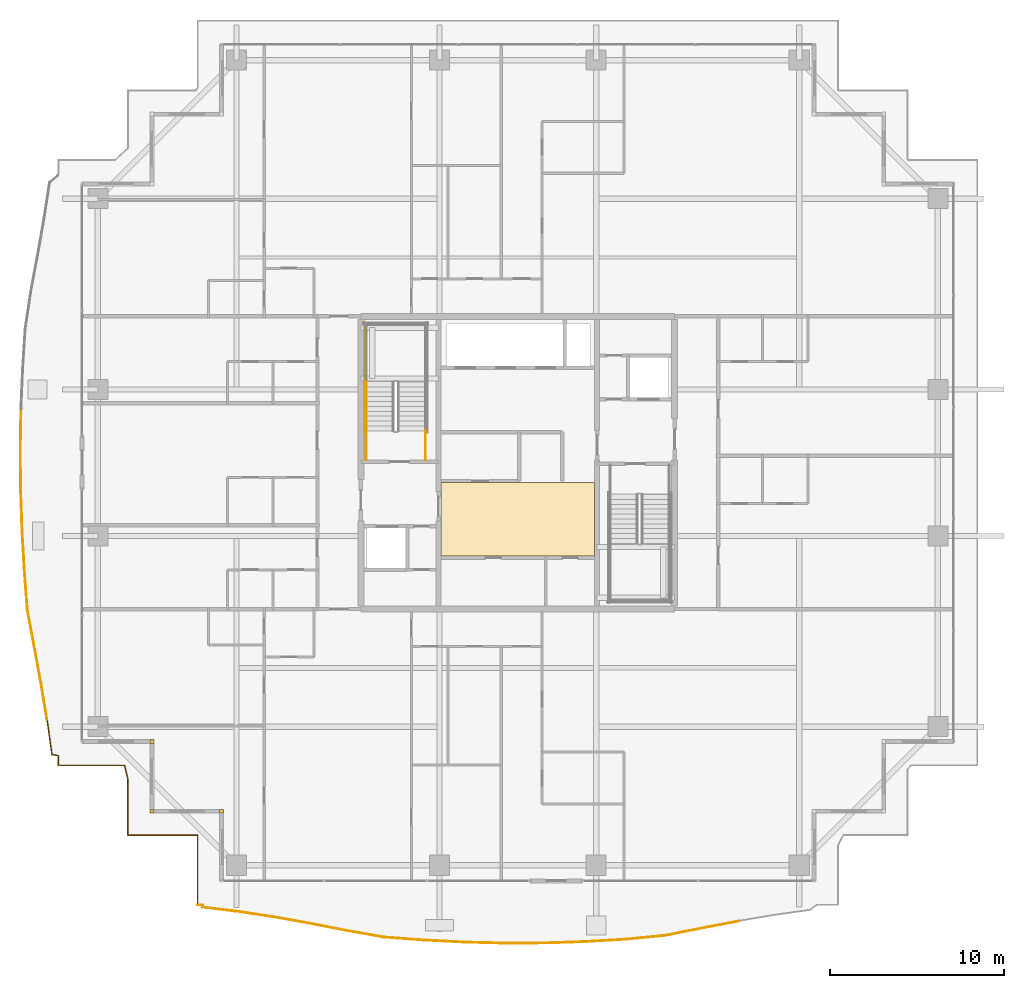
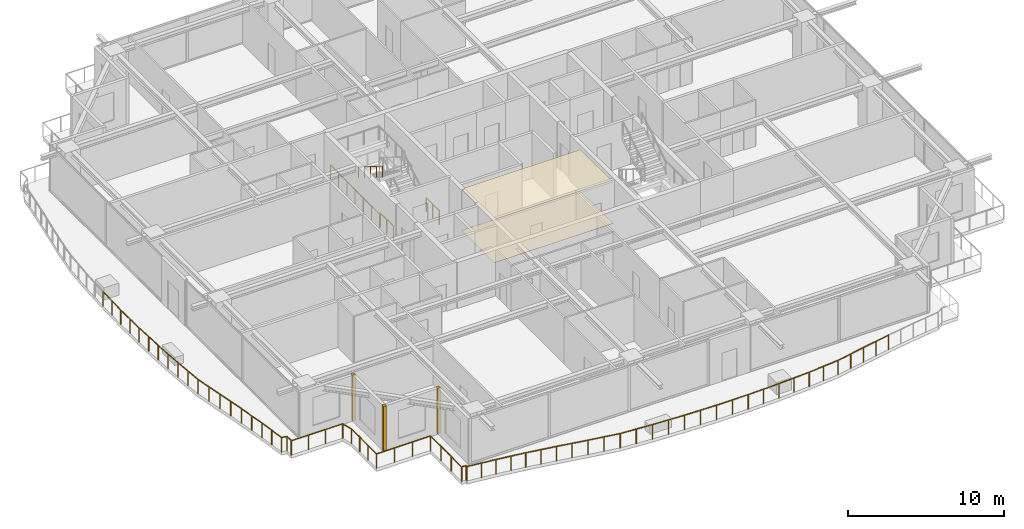
# One storey, part 32 of 36: 8 railings, 5 coverings.
"""IFC4 building model written with IfcOpenShell, lengths in metres."""

from ifc_helpers import new_model, si_unit, direction, frame, origin, origin_2d, place, context, subcontext, project, spatial, polyline, rectangle, circle, outline, extrude, source, transform, mapped, material, layer, layer_set, type_object, element, save


model = new_model("IFC4")

# Units and contexts
model_context = context("Model", 3, precision=1e-05, world=origin(), true_north=direction((0.0, 1.0)))
body_context = subcontext(model_context, "Body", "Model", "MODEL_VIEW")
ifc_project = project(units=[si_unit("LENGTHUNIT", "METRE"), si_unit("AREAUNIT", "SQUARE_METRE"), si_unit("VOLUMEUNIT", "CUBIC_METRE"), si_unit("PLANEANGLEUNIT", "RADIAN"), si_unit("MASSUNIT", "GRAM", prefix="KILO")], contexts=[model_context])

# Site, building, storey
site_placement = place(None, origin())
site = spatial("IfcSite", under=ifc_project, at=site_placement, CompositionType="ELEMENT")
building_placement = place(site_placement, origin())
building = spatial("IfcBuilding", under=site, at=building_placement, Name="Serunith Strait Residences", CompositionType="ELEMENT")
storey_placement = place(building_placement, frame((0.0, 0.0, 272.050048828125)))
storey = spatial("IfcBuildingStorey", under=building, at=storey_placement, Name="L68", CompositionType="ELEMENT", Elevation=272.050048828125)

# Coverings
ifc_material_1 = material(Name="Perforated acoustic gypsum ceiling tile")
ifc_layer_1 = layer(ifc_material_1, 0.02490234375, Name="Perforated acoustic gypsum ceiling tile")
ifc_layer_set_1 = layer_set([ifc_layer_1], Name="Perforated acoustic gypsum ceiling tile")
covering_type_1 = type_object("IfcCoveringType", Name="COV-CEIL-AC60", PredefinedType="CEILING", material=ifc_layer_set_1)
covering_1_placement = place(storey_placement, frame((0.0, 0.0, 3.239990234375)))
element("IfcCovering", 1, at=covering_1_placement, inside=storey, type_object=covering_type_1, Name="L68 Lift Lobby Acoustic Ceiling", PredefinedType="CEILING", context=body_context, shape_type="SweptSolid", body=[
    extrude(outline(polyline([(28.0, 19.85009765625), (36.800048828125, 19.85009765625), (36.800048828125, 24.050048828125), (28.0, 24.050048828125), (28.0, 19.85009765625)])), origin(), (0.0, 0.0, 1.0), 0.02490234375),
])
ifc_material_2 = material(Name="Honed limestone terrazzo flooring", Category="masonry")
ifc_layer_2 = layer(ifc_material_2, 0.02001953125, Name="Honed limestone terrazzo flooring")
ifc_layer_set_2 = layer_set([ifc_layer_2], Name="Honed limestone terrazzo flooring")
covering_type_2 = type_object("IfcCoveringType", Name="COV-FLOOR-TER40", PredefinedType="FLOORING", material=ifc_layer_set_2)
covering_2_placement = place(storey_placement, origin())
element("IfcCovering", 2, at=covering_2_placement, inside=storey, type_object=covering_type_2, Name="L68 Lift Lobby Terrazzo Flooring", PredefinedType="FLOORING", context=body_context, shape_type="SweptSolid", body=[
    extrude(outline(polyline([(28.0, 19.85009765625), (36.800048828125, 19.85009765625), (36.800048828125, 24.050048828125), (28.0, 24.050048828125), (28.0, 19.85009765625)])), origin(), (0.0, 0.0, 1.0), 0.02001953125),
])

# Railings
ifc_material_3 = material(Name="Stainless Steel & Laminated Glass Balustrade", Category="steel")
railing_type_1 = type_object("IfcRailingType", Name="RLG-BALC-1150", PredefinedType="BALUSTRADE", material=ifc_material_3)
railing_1_placement = place(storey_placement, frame((14.02001953125, -0.179931640625, -0.050048828125)))
element("IfcRailing", 3, at=railing_1_placement, inside=storey, type_object=railing_type_1, Name="L68 Swirling Balcony Perimeter Balustrade 1", PredefinedType="BALUSTRADE", context=body_context, shape_type="SweptSolid", body=[
    extrude(circle(Radius=0.02392578125, at=origin_2d()), frame((0.0, 0.001953125, 1.1259765625), z_axis=(0.0, 1.0, 0.0), x_axis=(-1.0, 0.0, 0.0)), (0.0, 0.0, 1.0), 3.99609375),
    extrude(circle(Radius=0.02392578125, at=origin_2d()), frame((-0.001953125, 4.0, 1.1259765625), z_axis=(-1.0, 0.0, 0.0), x_axis=(0.0, -1.0, 0.0)), (0.0, 0.0, 1.0), 3.99609375),
    extrude(circle(Radius=0.02392578125, at=origin_2d()), frame((-4.0, 4.001953125, 1.1259765625), z_axis=(0.0, 1.0, 0.0), x_axis=(-1.0, 0.0, 0.0)), (0.0, 0.0, 1.0), 3.210693359375),
    extrude(circle(Radius=0.02392578125, at=origin_2d()), frame((-4.00048828125, 7.216552734375, 1.1259765625), z_axis=(-0.235919902298, 0.971772504087, 0.0), x_axis=(-0.971772504087, -0.235919902298, 0.0)), (0.0, 0.0, 1.0), 0.80419921875),
    extrude(circle(Radius=0.02392578125, at=origin_2d()), frame((-4.192626953125, 8.0, 1.1259765625), z_axis=(-1.0, 0.0, 0.0), x_axis=(0.0, -1.0, 0.0)), (0.0, 0.0, 1.0), 3.805419921875),
    extrude(circle(Radius=0.02392578125, at=origin_2d()), frame((-8.0, 8.001953125, 1.1259765625), z_axis=(0.0, 1.0, 0.0), x_axis=(-1.0, 0.0, 0.0)), (0.0, 0.0, 1.0), 0.56298828125),
    extrude(circle(Radius=0.02392578125, at=origin_2d()), frame((-8.001953125, 8.567138671875, 1.1259765625), z_axis=(-0.986023881788, 0.166604035199, 0.0), x_axis=(-0.166604035199, -0.986023881788, 0.0)), (0.0, 0.0, 1.0), 0.35498046875),
    extrude(circle(Radius=0.02392578125, at=origin_2d()), frame((-8.354248046875, 8.628662109375, 1.1259765625), z_axis=(-0.138367306794, 0.990380981446, 0.0), x_axis=(-0.990380981446, -0.138367306794, 0.0)), (0.0, 0.0, 1.0), 2.04443359375),
    extrude(circle(Radius=0.02099609375, at=origin_2d()), origin(), (0.0, 0.0, 1.0), 1.099853515625),
    extrude(circle(Radius=0.02099609375, at=origin_2d()), frame((0.0, 1.333251953125, 0.0)), (0.0, 0.0, 1.0), 1.099853515625),
    extrude(circle(Radius=0.02099609375, at=origin_2d()), frame((0.0, 2.666748046875, 0.0)), (0.0, 0.0, 1.0), 1.099853515625),
    extrude(circle(Radius=0.02099609375, at=origin_2d()), frame((0.0, 4.0, 0.0)), (0.0, 0.0, 1.0), 1.099853515625),
    extrude(circle(Radius=0.02099609375, at=origin_2d()), frame((-1.333251953125, 4.0, 0.0)), (0.0, 0.0, 1.0), 1.099853515625),
    extrude(circle(Radius=0.02099609375, at=origin_2d()), frame((-2.666748046875, 4.0, 0.0)), (0.0, 0.0, 1.0), 1.099853515625),
    extrude(circle(Radius=0.02099609375, at=origin_2d()), frame((-4.0, 4.0, 0.0)), (0.0, 0.0, 1.0), 1.099853515625),
    extrude(circle(Radius=0.02099609375, at=origin_2d()), frame((-4.0, 5.071533203125, 0.0)), (0.0, 0.0, 1.0), 1.099853515625),
    extrude(circle(Radius=0.02099609375, at=origin_2d()), frame((-4.0, 6.14306640625, 0.0)), (0.0, 0.0, 1.0), 1.099853515625),
    extrude(circle(Radius=0.02099609375, at=origin_2d()), frame((-4.0, 7.214599609375, 0.0)), (0.0, 0.0, 1.0), 1.099853515625),
    extrude(circle(Radius=0.02099609375, at=origin_2d()), frame((-4.190673828125, 8.0, 0.0)), (0.0, 0.0, 1.0), 1.099853515625),
    extrude(circle(Radius=0.02099609375, at=origin_2d()), frame((-5.46044921875, 8.0, 0.0)), (0.0, 0.0, 1.0), 1.099853515625),
    extrude(circle(Radius=0.02099609375, at=origin_2d()), frame((-6.730224609375, 8.0, 0.0)), (0.0, 0.0, 1.0), 1.099853515625),
    extrude(circle(Radius=0.02099609375, at=origin_2d()), frame((-8.0, 8.0, 0.0)), (0.0, 0.0, 1.0), 1.099853515625),
    extrude(circle(Radius=0.02099609375, at=origin_2d()), frame((-8.0, 8.56689453125, 0.0)), (0.0, 0.0, 1.0), 1.099853515625),
    extrude(circle(Radius=0.02099609375, at=origin_2d()), frame((-8.35400390625, 8.626708984375, 0.0)), (0.0, 0.0, 1.0), 1.099853515625),
    extrude(circle(Radius=0.02099609375, at=origin_2d()), frame((-8.49560546875, 9.64111328125, 0.0)), (0.0, 0.0, 1.0), 1.099853515625),
    extrude(circle(Radius=0.02099609375, at=origin_2d()), frame((-8.637451171875, 10.655517578125, 0.0)), (0.0, 0.0, 1.0), 1.099853515625),
])
railing_2_placement = place(storey_placement, frame((5.382568359375, 10.4755859375, -0.050048828125)))
element("IfcRailing", 4, at=railing_2_placement, inside=storey, type_object=railing_type_1, Name="L68 Swirling Balcony Perimeter Balustrade 2", PredefinedType="BALUSTRADE", context=body_context, shape_type="SweptSolid", body=[
    extrude(circle(Radius=0.02392578125, at=origin_2d()), frame((-0.000244140625, 0.001953125, 1.1259765625), z_axis=(-0.162531067069, 0.986703426688, 0.0), x_axis=(-0.986703426688, -0.162531067069, 0.0)), (0.0, 0.0, 1.0), 2.073486328125),
    extrude(circle(Radius=0.02392578125, at=origin_2d()), frame((-0.337890625, 2.0517578125, 1.1259765625), z_axis=(-0.179856853998, 0.983692793544, 0.0), x_axis=(-0.983692793544, -0.179856853998, 0.0)), (0.0, 0.0, 1.0), 2.118896484375),
    extrude(circle(Radius=0.02392578125, at=origin_2d()), frame((-0.719970703125, 4.14013671875, 1.1259765625), z_axis=(-0.184072335064, 0.982912699818, 0.0), x_axis=(-0.982912699818, -0.184072335064, 0.0)), (0.0, 0.0, 1.0), 2.177734375),
    extrude(circle(Radius=0.02392578125, at=origin_2d()), frame((-1.121337890625, 6.28466796875, 1.1259765625), z_axis=(-0.076465895459, 0.997072197402, 0.0), x_axis=(-0.997072197402, -0.076465895459, 0.0)), (0.0, 0.0, 1.0), 2.262939453125),
    extrude(circle(Radius=0.02392578125, at=origin_2d()), frame((-1.29443359375, 8.544921875, 1.1259765625), z_axis=(-0.056517308107, 0.998401619532, 0.0), x_axis=(-0.998401619532, -0.056517308107, 0.0)), (0.0, 0.0, 1.0), 2.294189453125),
    extrude(circle(Radius=0.02392578125, at=origin_2d()), frame((-1.42431640625, 10.83935546875, 1.1259765625), z_axis=(-0.034310031954, 0.999411237533, 0.0), x_axis=(-0.999411237533, -0.034310031954, 0.0)), (0.0, 0.0, 1.0), 2.315673828125),
    extrude(circle(Radius=0.02392578125, at=origin_2d()), frame((-1.50390625, 13.15771484375, 1.1259765625), z_axis=(-0.009011475222, 0.999959395833, 0.0), x_axis=(-0.999959395833, -0.009011475222, 0.0)), (0.0, 0.0, 1.0), 2.325927734375),
    extrude(circle(Radius=0.02392578125, at=origin_2d()), frame((-1.52490234375, 15.487548828125, 1.1259765625), z_axis=(0.016996495169, 0.999855549143, 0.0), x_axis=(-0.999855549143, 0.016996495169, 0.0)), (0.0, 0.0, 1.0), 2.322998046875),
    extrude(circle(Radius=0.02099609375, at=origin_2d()), origin(), (0.0, 0.0, 1.0), 1.099853515625),
    extrude(circle(Radius=0.02099609375, at=origin_2d()), frame((-0.1689453125, 1.02490234375, 0.0)), (0.0, 0.0, 1.0), 1.099853515625),
    extrude(circle(Radius=0.02099609375, at=origin_2d()), frame((-0.337646484375, 2.0498046875, 0.0)), (0.0, 0.0, 1.0), 1.099853515625),
    extrude(circle(Radius=0.02099609375, at=origin_2d()), frame((-0.528564453125, 3.093994140625, 0.0)), (0.0, 0.0, 1.0), 1.099853515625),
    extrude(circle(Radius=0.02099609375, at=origin_2d()), frame((-0.719482421875, 4.13818359375, 0.0)), (0.0, 0.0, 1.0), 1.099853515625),
    extrude(circle(Radius=0.02099609375, at=origin_2d()), frame((-0.92041015625, 5.21044921875, 0.0)), (0.0, 0.0, 1.0), 1.099853515625),
    extrude(circle(Radius=0.02099609375, at=origin_2d()), frame((-1.12109375, 6.28271484375, 0.0)), (0.0, 0.0, 1.0), 1.099853515625),
    extrude(circle(Radius=0.02099609375, at=origin_2d()), frame((-1.207763671875, 7.412841796875, 0.0)), (0.0, 0.0, 1.0), 1.099853515625),
    extrude(circle(Radius=0.02099609375, at=origin_2d()), frame((-1.29443359375, 8.54296875, 0.0)), (0.0, 0.0, 1.0), 1.099853515625),
    extrude(circle(Radius=0.02099609375, at=origin_2d()), frame((-1.359375, 9.690185546875, 0.0)), (0.0, 0.0, 1.0), 1.099853515625),
    extrude(circle(Radius=0.02099609375, at=origin_2d()), frame((-1.42431640625, 10.83740234375, 0.0)), (0.0, 0.0, 1.0), 1.099853515625),
    extrude(circle(Radius=0.02099609375, at=origin_2d()), frame((-1.464111328125, 11.99658203125, 0.0)), (0.0, 0.0, 1.0), 1.099853515625),
    extrude(circle(Radius=0.02099609375, at=origin_2d()), frame((-1.50390625, 13.15576171875, 0.0)), (0.0, 0.0, 1.0), 1.099853515625),
    extrude(circle(Radius=0.02099609375, at=origin_2d()), frame((-1.514404296875, 14.32080078125, 0.0)), (0.0, 0.0, 1.0), 1.099853515625),
    extrude(circle(Radius=0.02099609375, at=origin_2d()), frame((-1.52490234375, 15.485595703125, 0.0)), (0.0, 0.0, 1.0), 1.099853515625),
    extrude(circle(Radius=0.02099609375, at=origin_2d()), frame((-1.505126953125, 16.64892578125, 0.0)), (0.0, 0.0, 1.0), 1.099853515625),
    extrude(circle(Radius=0.02099609375, at=origin_2d()), frame((-1.4853515625, 17.812255859375, 0.0)), (0.0, 0.0, 1.0), 1.099853515625),
])
railing_3_placement = place(storey_placement, frame((45.09521484375, -1.103515625, -0.050048828125)))
element("IfcRailing", 5, at=railing_3_placement, inside=storey, type_object=railing_type_1, Name="L68 Swirling Balcony Perimeter Balustrade 7", PredefinedType="BALUSTRADE", context=body_context, shape_type="SweptSolid", body=[
    extrude(circle(Radius=0.02392578125, at=origin_2d()), frame((-0.001953125, -0.00048828125, 1.1259765625), z_axis=(-0.982063979017, -0.188547980941, 0.0), x_axis=(0.188547980941, -0.982063979017, 0.0)), (0.0, 0.0, 1.0), 2.113037109375),
    extrude(circle(Radius=0.02392578125, at=origin_2d()), frame((-2.0810546875, -0.399658203125, 1.1259765625), z_axis=(-0.980679605679, -0.195620834793, 0.0), x_axis=(0.195620834793, -0.980679605679, 0.0)), (0.0, 0.0, 1.0), 2.17626953125),
    extrude(circle(Radius=0.02392578125, at=origin_2d()), frame((-4.21923828125, -0.825927734375, 1.1259765625), z_axis=(-0.99525635224, -0.09728716938, 0.0), x_axis=(0.09728716938, -0.99525635224, 0.0)), (0.0, 0.0, 1.0), 2.2646484375),
    extrude(circle(Radius=0.02392578125, at=origin_2d()), frame((-6.47705078125, -1.04638671875, 1.1259765625), z_axis=(-0.998242537568, -0.059260747468, 0.0), x_axis=(0.059260747468, -0.998242537568, 0.0)), (0.0, 0.0, 1.0), 2.30712890625),
    extrude(circle(Radius=0.02392578125, at=origin_2d()), frame((-8.7841796875, -1.183349609375, 1.1259765625), z_axis=(-0.999443629766, -0.033353124584, 0.0), x_axis=(0.033353124584, -0.999443629766, 0.0)), (0.0, 0.0, 1.0), 2.3310546875),
    extrude(circle(Radius=0.02392578125, at=origin_2d()), frame((-11.117919921875, -1.26123046875, 1.1259765625), z_axis=(-0.999989981211, -0.004476324088, 0.0), x_axis=(0.004476324088, -0.999989981211, 0.0)), (0.0, 0.0, 1.0), 2.34130859375),
    extrude(circle(Radius=0.02392578125, at=origin_2d()), frame((-13.463134765625, -1.271728515625, 1.1259765625), z_axis=(-0.999691609278, 0.024833170129, 0.0), x_axis=(-0.024833170129, -0.999691609278, 0.0)), (0.0, 0.0, 1.0), 2.3359375),
    extrude(circle(Radius=0.02392578125, at=origin_2d()), frame((-15.80224609375, -1.213623046875, 1.1259765625), z_axis=(-0.998653637119, 0.051874011495, 0.0), x_axis=(-0.051874011495, -0.998653637119, 0.0)), (0.0, 0.0, 1.0), 2.316162109375),
    extrude(circle(Radius=0.02099609375, at=origin_2d()), origin(), (0.0, 0.0, 1.0), 1.099853515625),
    extrude(circle(Radius=0.02099609375, at=origin_2d()), frame((-1.03955078125, -0.19970703125, 0.0)), (0.0, 0.0, 1.0), 1.099853515625),
    extrude(circle(Radius=0.02099609375, at=origin_2d()), frame((-2.0791015625, -0.399169921875, 0.0)), (0.0, 0.0, 1.0), 1.099853515625),
    extrude(circle(Radius=0.02099609375, at=origin_2d()), frame((-3.148193359375, -0.6123046875, 0.0)), (0.0, 0.0, 1.0), 1.099853515625),
    extrude(circle(Radius=0.02099609375, at=origin_2d()), frame((-4.21728515625, -0.82568359375, 0.0)), (0.0, 0.0, 1.0), 1.099853515625),
    extrude(circle(Radius=0.02099609375, at=origin_2d()), frame((-5.34619140625, -0.93603515625, 0.0)), (0.0, 0.0, 1.0), 1.099853515625),
    extrude(circle(Radius=0.02099609375, at=origin_2d()), frame((-6.47509765625, -1.04638671875, 0.0)), (0.0, 0.0, 1.0), 1.099853515625),
    extrude(circle(Radius=0.02099609375, at=origin_2d()), frame((-7.628662109375, -1.11474609375, 0.0)), (0.0, 0.0, 1.0), 1.099853515625),
    extrude(circle(Radius=0.02099609375, at=origin_2d()), frame((-8.7822265625, -1.183349609375, 0.0)), (0.0, 0.0, 1.0), 1.099853515625),
    extrude(circle(Radius=0.02099609375, at=origin_2d()), frame((-9.94921875, -1.22216796875, 0.0)), (0.0, 0.0, 1.0), 1.099853515625),
    extrude(circle(Radius=0.02099609375, at=origin_2d()), frame((-11.115966796875, -1.26123046875, 0.0)), (0.0, 0.0, 1.0), 1.099853515625),
    extrude(circle(Radius=0.02099609375, at=origin_2d()), frame((-12.28857421875, -1.2666015625, 0.0)), (0.0, 0.0, 1.0), 1.099853515625),
    extrude(circle(Radius=0.02099609375, at=origin_2d()), frame((-13.461181640625, -1.271728515625, 0.0)), (0.0, 0.0, 1.0), 1.099853515625),
    extrude(circle(Radius=0.02099609375, at=origin_2d()), frame((-14.630859375, -1.24267578125, 0.0)), (0.0, 0.0, 1.0), 1.099853515625),
    extrude(circle(Radius=0.02099609375, at=origin_2d()), frame((-15.80029296875, -1.213623046875, 0.0)), (0.0, 0.0, 1.0), 1.099853515625),
    extrude(circle(Radius=0.02099609375, at=origin_2d()), frame((-16.958984375, -1.1533203125, 0.0)), (0.0, 0.0, 1.0), 1.099853515625),
    extrude(circle(Radius=0.02099609375, at=origin_2d()), frame((-18.117431640625, -1.09326171875, 0.0)), (0.0, 0.0, 1.0), 1.099853515625),
])
railing_4_placement = place(storey_placement, frame((26.977783203125, -2.19677734375, -0.050048828125)))
element("IfcRailing", 6, at=railing_4_placement, inside=storey, type_object=railing_type_1, Name="L68 Swirling Balcony Perimeter Balustrade 8", PredefinedType="BALUSTRADE", context=body_context, shape_type="SweptSolid", body=[
    extrude(circle(Radius=0.02392578125, at=origin_2d()), frame((-0.001953125, 0.000244140625, 1.1259765625), z_axis=(-0.9972403278, 0.074241017023, 0.0), x_axis=(-0.074241017023, -0.9972403278, 0.0)), (0.0, 0.0, 1.0), 2.28466796875),
    extrude(circle(Radius=0.02392578125, at=origin_2d()), frame((-2.284423828125, 0.170166015625, 1.1259765625), z_axis=(-0.984644116181, 0.174573664883, 0.0), x_axis=(-0.174573664883, -0.984644116181, 0.0)), (0.0, 0.0, 1.0), 2.204345703125),
    extrude(circle(Radius=0.02392578125, at=origin_2d()), frame((-4.458740234375, 0.555908203125, 1.1259765625), z_axis=(-0.981251521338, 0.192731553906, 0.0), x_axis=(-0.192731553906, -0.981251521338, 0.0)), (0.0, 0.0, 1.0), 2.133056640625),
    extrude(circle(Radius=0.02392578125, at=origin_2d()), frame((-6.5556640625, 0.967529296875, 1.1259765625), z_axis=(-0.984523003023, 0.175255403679, 0.0), x_axis=(-0.175255403679, -0.984523003023, 0.0)), (0.0, 0.0, 1.0), 2.080078125),
    extrude(circle(Radius=0.02392578125, at=origin_2d()), frame((-8.607421875, 1.332763671875, 1.1259765625), z_axis=(-0.98881632825, 0.149138422235, 0.0), x_axis=(-0.149138422235, -0.98881632825, 0.0)), (0.0, 0.0, 1.0), 2.045654296875),
    extrude(circle(Radius=0.02392578125, at=origin_2d()), frame((-10.634033203125, 1.638427734375, 1.1259765625), z_axis=(-0.992671906387, 0.120840747559, 0.0), x_axis=(-0.120840747559, -0.992671906387, 0.0)), (0.0, 0.0, 1.0), 2.028564453125),
    extrude(circle(Radius=0.02392578125, at=origin_2d()), frame((-12.649658203125, 1.8857421875, 1.1259765625), z_axis=(0.009173925859, 0.999957918657, 0.0), x_axis=(-0.999957918657, 0.009173925859, 0.0)), (0.0, 0.0, 1.0), 0.129150390625),
    extrude(circle(Radius=0.02392578125, at=origin_2d()), frame((-12.650390625, 2.016845703125, 1.1259765625), z_axis=(-1.0, 0.0, 0.0), x_axis=(0.0, -1.0, 0.0)), (0.0, 0.0, 1.0), 0.305419921875),
    extrude(circle(Radius=0.02099609375, at=origin_2d()), origin(), (0.0, 0.0, 1.0), 1.099853515625),
    extrude(circle(Radius=0.02099609375, at=origin_2d()), frame((-1.14111328125, 0.0849609375, 0.0)), (0.0, 0.0, 1.0), 1.099853515625),
    extrude(circle(Radius=0.02099609375, at=origin_2d()), frame((-2.282470703125, 0.169921875, 0.0)), (0.0, 0.0, 1.0), 1.099853515625),
    extrude(circle(Radius=0.02099609375, at=origin_2d()), frame((-3.36962890625, 0.36279296875, 0.0)), (0.0, 0.0, 1.0), 1.099853515625),
    extrude(circle(Radius=0.02099609375, at=origin_2d()), frame((-4.456787109375, 0.555419921875, 0.0)), (0.0, 0.0, 1.0), 1.099853515625),
    extrude(circle(Radius=0.02099609375, at=origin_2d()), frame((-5.50537109375, 0.76123046875, 0.0)), (0.0, 0.0, 1.0), 1.099853515625),
    extrude(circle(Radius=0.02099609375, at=origin_2d()), frame((-6.5537109375, 0.96728515625, 0.0)), (0.0, 0.0, 1.0), 1.099853515625),
    extrude(circle(Radius=0.02099609375, at=origin_2d()), frame((-7.57958984375, 1.14990234375, 0.0)), (0.0, 0.0, 1.0), 1.099853515625),
    extrude(circle(Radius=0.02099609375, at=origin_2d()), frame((-8.60546875, 1.33251953125, 0.0)), (0.0, 0.0, 1.0), 1.099853515625),
    extrude(circle(Radius=0.02099609375, at=origin_2d()), frame((-9.61865234375, 1.4853515625, 0.0)), (0.0, 0.0, 1.0), 1.099853515625),
    extrude(circle(Radius=0.02099609375, at=origin_2d()), frame((-10.632080078125, 1.63818359375, 0.0)), (0.0, 0.0, 1.0), 1.099853515625),
    extrude(circle(Radius=0.02099609375, at=origin_2d()), frame((-11.640869140625, 1.760986328125, 0.0)), (0.0, 0.0, 1.0), 1.099853515625),
    extrude(circle(Radius=0.02099609375, at=origin_2d()), frame((-12.649658203125, 1.8837890625, 0.0)), (0.0, 0.0, 1.0), 1.099853515625),
    extrude(circle(Radius=0.02099609375, at=origin_2d()), frame((-12.6484375, 2.016845703125, 0.0)), (0.0, 0.0, 1.0), 1.099853515625),
    extrude(circle(Radius=0.02099609375, at=origin_2d()), frame((-12.957763671875, 2.016845703125, 0.0)), (0.0, 0.0, 1.0), 1.099853515625),
])
ifc_material_4 = material(Name="Brushed stainless steel 316L", Category="steel")
railing_type_2 = type_object("IfcRailingType", Name="RLG-STAIR-GUARD", PredefinedType="BALUSTRADE", material=ifc_material_4)
for number, where, name in (
    (7, (27.10009765625, 25.35009765625, 0.0), "L68 ST-1 stair guard 8"),
    (8, (23.699951171875, 25.35009765625, 0.0), "L68 ST-1 stair guard 9"),
):
    element("IfcRailing", number, at=place(storey_placement, frame(where)), inside=storey, type_object=railing_type_2, Name=name, PredefinedType="BALUSTRADE", context=body_context, shape_type="SweptSolid", body=[
        extrude(circle(Radius=0.02392578125, at=origin_2d()), frame((0.0, 0.001953125, 1.076171875), z_axis=(0.0, 1.0, 0.0), x_axis=(-1.0, 0.0, 0.0)), (0.0, 0.0, 1.0), 1.676025390625),
        extrude(circle(Radius=0.02099609375, at=origin_2d()), origin(), (0.0, 0.0, 1.0), 1.050048828125),
        extrude(circle(Radius=0.02099609375, at=origin_2d()), frame((0.0, 0.83984375, 0.0)), (0.0, 0.0, 1.0), 1.050048828125),
        extrude(circle(Radius=0.02099609375, at=origin_2d()), frame((0.0, 1.679931640625, 0.0)), (0.0, 0.0, 1.0), 1.050048828125),
    ])
railing_5_placement = place(storey_placement, frame((23.60009765625, 26.929931640625, 0.0)))
element("IfcRailing", 9, at=railing_5_placement, inside=storey, type_object=railing_type_2, Name="L68 ST-1 stair guard 11", PredefinedType="BALUSTRADE", context=body_context, shape_type="SweptSolid", body=[
    extrude(circle(Radius=0.02392578125, at=origin_2d()), frame((0.0, 0.001953125, 1.076171875), z_axis=(0.0, 1.0, 0.0), x_axis=(-1.0, 0.0, 0.0)), (0.0, 0.0, 1.0), 6.316162109375),
    extrude(circle(Radius=0.02099609375, at=origin_2d()), origin(), (0.0, 0.0, 1.0), 1.050048828125),
    extrude(circle(Radius=0.02099609375, at=origin_2d()), frame((0.0, 1.05322265625, 0.0)), (0.0, 0.0, 1.0), 1.050048828125),
    extrude(circle(Radius=0.02099609375, at=origin_2d()), frame((0.0, 2.106689453125, 0.0)), (0.0, 0.0, 1.0), 1.050048828125),
    extrude(circle(Radius=0.02099609375, at=origin_2d()), frame((0.0, 3.16015625, 0.0)), (0.0, 0.0, 1.0), 1.050048828125),
    extrude(circle(Radius=0.02099609375, at=origin_2d()), frame((0.0, 4.21337890625, 0.0)), (0.0, 0.0, 1.0), 1.050048828125),
    extrude(circle(Radius=0.02099609375, at=origin_2d()), frame((0.0, 5.2666015625, 0.0)), (0.0, 0.0, 1.0), 1.050048828125),
    extrude(circle(Radius=0.02099609375, at=origin_2d()), frame((0.0, 6.320068359375, 0.0)), (0.0, 0.0, 1.0), 1.050048828125),
])
railing_type_3 = type_object("IfcRailingType", Name="RLG-STAIR-HR", PredefinedType="HANDRAIL", material=ifc_material_4)
railing_6_placement = place(storey_placement, frame((23.699951171875, 29.830078125, 2.099853515625)))
element("IfcRailing", 10, at=railing_6_placement, inside=storey, type_object=railing_type_3, Name="L68 ST-1 stair handrail 2", PredefinedType="HANDRAIL", context=body_context, shape_type="SweptSolid", body=[
    extrude(circle(Radius=0.02392578125, at=origin_2d()), frame((0.0, -0.001708984375, 0.876953125), z_axis=(0.0, -0.847363772988, 0.531012839984), x_axis=(1.0, 0.0, 0.0)), (0.0, 0.0, 1.0), 3.630859375),
    extrude(circle(Radius=0.02099609375, at=origin_2d()), origin(), (0.0, 0.0, 1.0), 0.849853515625),
    extrude(circle(Radius=0.02099609375, at=origin_2d()), frame((0.0, -0.77001953125, 0.482421875)), (0.0, 0.0, 1.0), 0.849853515625),
    extrude(circle(Radius=0.02099609375, at=origin_2d()), frame((0.0, -1.5400390625, 0.965087890625)), (0.0, 0.0, 1.0), 0.849853515625),
    extrude(circle(Radius=0.02099609375, at=origin_2d()), frame((0.0, -2.31005859375, 1.44775390625)), (0.0, 0.0, 1.0), 0.849853515625),
    extrude(circle(Radius=0.02099609375, at=origin_2d()), frame((0.0, -3.080078125, 1.93017578125)), (0.0, 0.0, 1.0), 0.849853515625),
])

# Coverings
ifc_material_5 = material(Name="Pale-Champagne Anodised Aluminium", Category="aluminium")
ifc_layer_3 = layer(ifc_material_5, 0.219970703125, Name="Pale-Champagne Anodised Aluminium")
ifc_layer_set_3 = layer_set([ifc_layer_3], Name="Pale-Champagne Anodised Aluminium")
covering_type_3 = type_object("IfcCoveringType", Name="COV-CORN-TRIM", PredefinedType="CLADDING", material=ifc_layer_set_3)
shared_shape = source(origin(), body_context, "Body", "SweptSolid", [
    extrude(rectangle(XDim=0.221923828125, YDim=0.221923828125, at=origin_2d()), origin(), (0.0, 0.0, 1.0), 3.574951171875),
])
for number, where, z_axis, x_axis, name in (
    (11, (11.39990234375, 9.199951171875, 0.0), (0.0, 0.0, 1.0), (1.0, 0.0, 0.0), "L68 Girih Serrated Corner Trim Post 17"),
    (12, (11.39990234375, 5.199951171875, 0.0), (0.0, 0.0, 1.0), (1.0, 0.0, 0.0), "L68 Girih Serrated Corner Trim Post 18"),
    (13, (15.39990234375, 5.199951171875, 0.0), (0.0, 0.0, 1.0), (1.0, 0.0, 0.0), "L68 Girih Serrated Corner Trim Post 19"),
):
    element("IfcCovering", number, at=place(storey_placement, frame(where, z_axis=z_axis, x_axis=x_axis)), inside=storey, type_object=covering_type_3, Name=name, PredefinedType="CLADDING", context=body_context, shape_type="MappedRepresentation", body=[
        mapped(shared_shape, transform((0.0, 0.0, 0.0), scale=1.0)),
    ])

save(model, "model.ifc")
